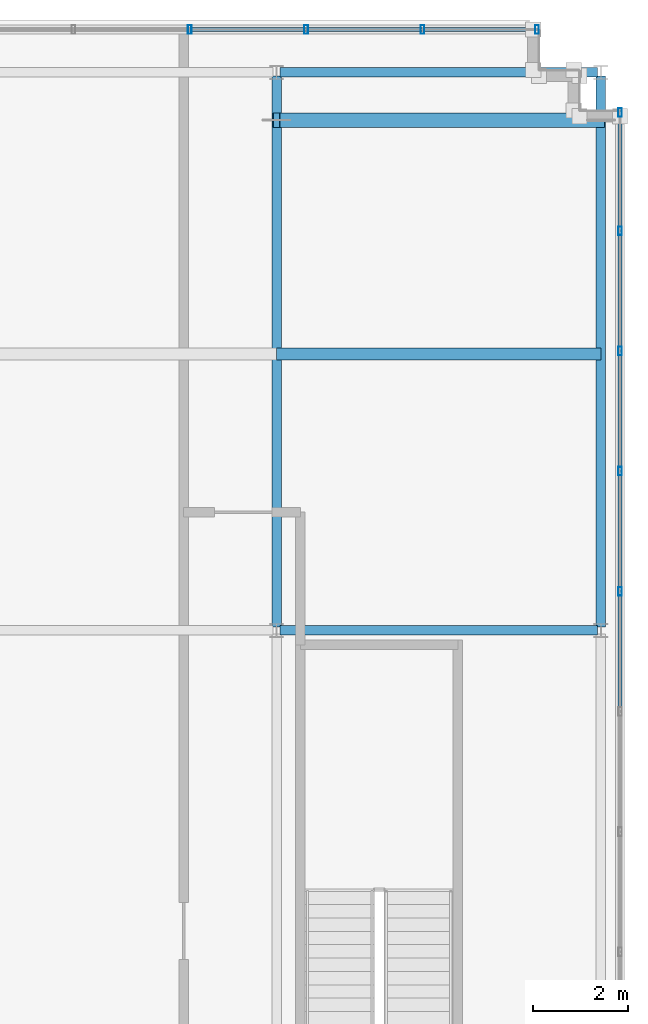
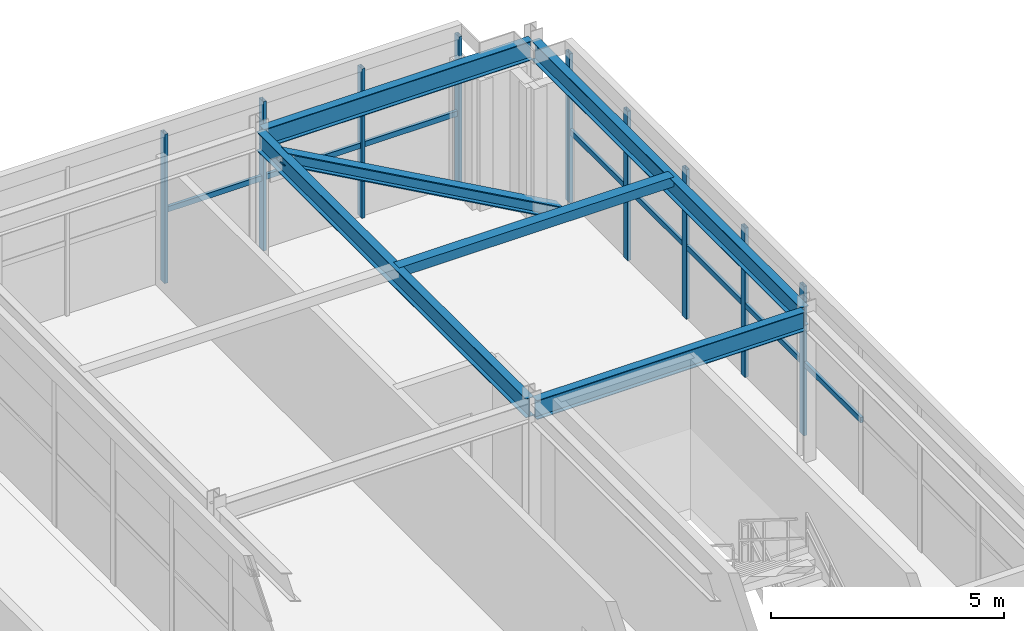
# One storey, part 15 of 25: 19 members, 4 beams, 2 elements without a shape of their own.
"""IFC4 building model written with IfcOpenShell, lengths in metres."""

from ifc_helpers import new_model, si_unit, direction, frame, origin, origin_2d, place, context, subcontext, project, spatial, hollow_rectangle, i_section, extrude, source, transform, mapped, material, material_profile, profile_set, type_object, element, aggregate, save


model = new_model("IFC4")

# Units and contexts
model_context = context("Model", 3, precision=1e-05, world=origin(), true_north=direction((0.0, 1.0)))
body_context = subcontext(model_context, "Body", "Model", "MODEL_VIEW")
ifc_project = project(units=[si_unit("LENGTHUNIT", "METRE"), si_unit("AREAUNIT", "SQUARE_METRE"), si_unit("VOLUMEUNIT", "CUBIC_METRE"), si_unit("PLANEANGLEUNIT", "RADIAN"), si_unit("MASSUNIT", "GRAM", prefix="KILO")], contexts=[model_context])

# Site, building, storey
site_placement = place(None, origin())
site = spatial("IfcSite", under=ifc_project, at=site_placement, CompositionType="ELEMENT")
building_placement = place(site_placement, origin())
building = spatial("IfcBuilding", under=site, at=building_placement, Name="Trelvane Seafront Commons", CompositionType="ELEMENT")
storey_placement = place(building_placement, frame((0.0, 0.0, 316.699951171875)))
storey = spatial("IfcBuildingStorey", under=building, at=storey_placement, Name="L82", CompositionType="ELEMENT", Elevation=316.699951171875)

# Beams
ifc_material_1 = material(Name="Steel SM355 (S355)", Category="steel")
ifc_material_profile_1 = material_profile(ifc_material_1, i_section(OverallWidth=0.199951171875, OverallDepth=0.5, WebThickness=0.010009765625, FlangeThickness=0.01611328125, at=origin_2d()), Name="H-500x200x10x16")
ifc_profile_set_1 = profile_set([ifc_material_profile_1], Name="Steel SM355 (S355)")
beam_type_1 = type_object("IfcBeamType", Name="STR-CROWN-FRAME-RING", PredefinedType="SPANDREL", material=ifc_profile_set_1)
shared_shape_1 = source(origin(), body_context, "Body", "SweptSolid", [
    extrude(i_section(OverallWidth=0.199951171875, OverallDepth=0.5, WebThickness=0.010009765625, FlangeThickness=0.01611328125, at=origin_2d()), origin(), (0.0, 0.0, 1.0), 6.64990234375),
])
for number, where, z_axis, x_axis, name in (
    (1, (58.875, 33.39990234375, 3.66015625), (1.0, 0.0, 0.0), (0.0, 1.0, 0.0), "L82 CROWN FRAME Ring Beam G-08"),
    (2, (58.875, 45.10009765625, 3.66015625), (1.0, 0.0, 0.0), (0.0, 1.0, 0.0), "L82 CROWN FRAME Ring Beam G-12"),
):
    element("IfcBeam", number, at=place(storey_placement, frame(where, z_axis=z_axis, x_axis=x_axis)), inside=storey, type_object=beam_type_1, Name=name, PredefinedType="SPANDREL", context=body_context, shape_type="MappedRepresentation", body=[
        mapped(shared_shape_1, transform((0.0, 0.0, 0.0), x_axis=(1.0, 0.0, 0.0), y_axis=(0.0, 1.0, 0.0), z_axis=(0.0, 0.0, 1.0), scale=1.0)),
    ])
ifc_material_profile_2 = material_profile(ifc_material_1, i_section(OverallWidth=0.199951171875, OverallDepth=0.5, WebThickness=0.010009765625, FlangeThickness=0.01611328125, at=origin_2d()), Name="H-500x200x10x16")
ifc_profile_set_2 = profile_set([ifc_material_profile_2], Name="Steel SM355 (S355)")
beam_type_2 = type_object("IfcBeamType", Name="STR-BM-H500", PredefinedType="BEAM", material=ifc_profile_set_2)
shared_shape_2 = source(origin(), body_context, "Body", "SweptSolid", [
    extrude(i_section(OverallWidth=0.199951171875, OverallDepth=0.5, WebThickness=0.010009765625, FlangeThickness=0.01611328125, at=origin_2d()), origin(), (0.0, 0.0, 1.0), 11.5498046875),
])
for number, where, z_axis, x_axis, name in (
    (3, (58.800048828125, 33.47509765625, 3.66015625), (0.0, 1.0, 0.0), (-1.0, 0.0, 0.0), "L82 Primary Girder G-22"),
    (4, (65.60009765625, 33.47509765625, 3.66015625), (0.0, 1.0, 0.0), (-1.0, 0.0, 0.0), "L82 Primary Girder G-24"),
):
    element("IfcBeam", number, at=place(storey_placement, frame(where, z_axis=z_axis, x_axis=x_axis)), inside=storey, type_object=beam_type_2, Name=name, PredefinedType="BEAM", context=body_context, shape_type="MappedRepresentation", body=[
        mapped(shared_shape_2, transform((0.0, 0.0, 0.0), x_axis=(1.0, 0.0, 0.0), y_axis=(0.0, 1.0, 0.0), z_axis=(0.0, 0.0, 1.0), scale=1.0)),
    ])

# Members
ifc_material_profile_3 = material_profile(ifc_material_1, hollow_rectangle(XDim=0.25, YDim=0.25, WallThickness=0.010009765625, at=origin_2d()), Name="RHS-250x250x10")
ifc_profile_set_3 = profile_set([ifc_material_profile_3], Name="Steel SM355 (S355)")
member_type_1 = type_object("IfcMemberType", Name="STR-PUR-RHS250", PredefinedType="PURLIN", material=ifc_profile_set_3)
shared_shape_3 = source(origin(), body_context, "Body", "SweptSolid", [
    extrude(hollow_rectangle(XDim=0.25, YDim=0.25, WallThickness=0.010009765625, at=origin_2d()), origin(), (0.0, 0.0, 1.0), 6.800048828125),
])
member_1_placement = place(storey_placement, frame((58.800048828125, 39.199951171875, 3.78515625), z_axis=(1.0, 0.0, 0.0), x_axis=(0.0, 1.0, 0.0)))
element("IfcMember", 5, at=member_1_placement, inside=storey, type_object=member_type_1, Name="L82 Crown Roof Purlin PR-1", PredefinedType="PURLIN", context=body_context, shape_type="MappedRepresentation", body=[
    mapped(shared_shape_3, transform((0.0, 0.0, 0.0), x_axis=(1.0, 0.0, 0.0), y_axis=(0.0, 1.0, 0.0), z_axis=(0.0, 0.0, 1.0), scale=1.0)),
])
ifc_material_profile_4 = material_profile(ifc_material_1, i_section(OverallWidth=0.300048828125, OverallDepth=0.300048828125, WebThickness=0.014892578125, FlangeThickness=0.02392578125, at=origin_2d()), Name="HD-300x300x15x24")
ifc_profile_set_4 = profile_set([ifc_material_profile_4], Name="Steel SM355 (S355)")
member_type_2 = type_object("IfcMemberType", Name="STR-CROWN-FRAME-BRC", PredefinedType="BRACE", material=ifc_profile_set_4)
shared_shape_4 = source(origin(), body_context, "Body", "SweptSolid", [
    extrude(i_section(OverallWidth=0.300048828125, OverallDepth=0.300048828125, WebThickness=0.014892578125, FlangeThickness=0.02392578125, at=origin_2d()), origin(), (0.0, 0.0, 1.0), 7.784912109375),
])
member_2_placement = place(storey_placement, frame((65.60009765625, 44.10009765625, 0.0), z_axis=(-0.873489296965, 0.0, 0.486843350666), x_axis=(0.0, -1.0, 0.0)))
element("IfcMember", 6, at=member_2_placement, inside=storey, type_object=member_type_2, Name="L82 CROWN FRAME Diagonal Brace CE", PredefinedType="BRACE", context=body_context, shape_type="MappedRepresentation", body=[
    mapped(shared_shape_4, transform((0.0, 0.0, 0.0), x_axis=(1.0, 0.0, 0.0), y_axis=(0.0, 1.0, 0.0), z_axis=(0.0, 0.0, 1.0), scale=1.0)),
])

# Curtain wall, members
ifc_material_2 = material(Name="Anodised pale-silver aluminium", Category="aluminium")
curtain_wall_type = type_object("IfcCurtainWallType", Name="ARCH-CW6-CROWN", PredefinedType="NOTDEFINED", material=ifc_material_2)
curtain_wall_1_placement = place(storey_placement, origin())
curtain_wall_1 = element("IfcCurtainWall", 7, at=curtain_wall_1_placement, inside=storey, type_object=curtain_wall_type, Name="CW-L82-0157", PredefinedType="NOTDEFINED")
ifc_material_profile_5 = material_profile(ifc_material_2, hollow_rectangle(XDim=0.080078125, YDim=0.179931640625, WallThickness=0.00439453125, at=origin_2d()), Name="MULL-80x180x4.5")
ifc_profile_set_5 = profile_set([ifc_material_profile_5], Name="Anodised pale-silver aluminium")
member_type_3 = type_object("IfcMemberType", Name="ARCH-CW-MULL-180", PredefinedType="MULLION", material=ifc_profile_set_5)
shared_shape_5 = source(origin(), body_context, "Body", "SweptSolid", [
    extrude(hollow_rectangle(XDim=0.080078125, YDim=0.179931640625, WallThickness=0.00439453125, at=origin_2d()), origin(), (0.0, 0.0, 1.0), 3.91015625),
])
member_3_placement = place(storey_placement, frame((56.97998046875, 46.0, 0.0), z_axis=(0.0, 0.0, 1.0), x_axis=(1.0, 0.0, 0.0)))
member_3 = element("IfcMember", 8, at=member_3_placement, type_object=member_type_3, Name="CW-L82-0157-M02", PredefinedType="MULLION", context=body_context, shape_type="MappedRepresentation", body=[
    mapped(shared_shape_5, transform((0.0, 0.0, 0.0), x_axis=(1.0, 0.0, 0.0), y_axis=(0.0, 1.0, 0.0), z_axis=(0.0, 0.0, 1.0), scale=1.0)),
])
member_4_placement = place(storey_placement, frame((59.419921875, 46.0, 0.0), z_axis=(0.0, 0.0, 1.0), x_axis=(1.0, 0.0, 0.0)))
member_4 = element("IfcMember", 9, at=member_4_placement, type_object=member_type_3, Name="CW-L82-0157-M03", PredefinedType="MULLION", context=body_context, shape_type="MappedRepresentation", body=[
    mapped(shared_shape_5, transform((0.0, 0.0, 0.0), x_axis=(1.0, 0.0, 0.0), y_axis=(0.0, 1.0, 0.0), z_axis=(0.0, 0.0, 1.0), scale=1.0)),
])
member_5_placement = place(storey_placement, frame((61.860107421875, 46.0, 0.0), z_axis=(0.0, 0.0, 1.0), x_axis=(1.0, 0.0, 0.0)))
member_5 = element("IfcMember", 10, at=member_5_placement, type_object=member_type_3, Name="CW-L82-0157-M04", PredefinedType="MULLION", context=body_context, shape_type="MappedRepresentation", body=[
    mapped(shared_shape_5, transform((0.0, 0.0, 0.0), x_axis=(1.0, 0.0, 0.0), y_axis=(0.0, 1.0, 0.0), z_axis=(0.0, 0.0, 1.0), scale=1.0)),
])
member_6_placement = place(storey_placement, frame((64.260009765625, 46.0, 0.0), z_axis=(0.0, 0.0, 1.0), x_axis=(1.0, 0.0, 0.0)))
member_6 = element("IfcMember", 11, at=member_6_placement, type_object=member_type_3, Name="CW-L82-0157-M05", PredefinedType="MULLION", context=body_context, shape_type="MappedRepresentation", body=[
    mapped(shared_shape_5, transform((0.0, 0.0, 0.0), x_axis=(1.0, 0.0, 0.0), y_axis=(0.0, 1.0, 0.0), z_axis=(0.0, 0.0, 1.0), scale=1.0)),
])

curtain_wall_2_placement = place(storey_placement, origin())
curtain_wall_2 = element("IfcCurtainWall", 12, at=curtain_wall_2_placement, inside=storey, type_object=curtain_wall_type, Name="CW-L82-0158", PredefinedType="NOTDEFINED")
member_7_placement = place(storey_placement, frame((66.0, 44.260009765625, 0.0), z_axis=(0.0, 0.0, 1.0), x_axis=(1.0, 0.0, 0.0)))
member_7 = element("IfcMember", 13, at=member_7_placement, type_object=member_type_3, Name="CW-L82-0158-M00", PredefinedType="MULLION", context=body_context, shape_type="MappedRepresentation", body=[
    mapped(shared_shape_5, transform((0.0, 0.0, 0.0), x_axis=(1.0, 0.0, 0.0), y_axis=(0.0, 1.0, 0.0), z_axis=(0.0, 0.0, 1.0), scale=1.0)),
])
member_8_placement = place(storey_placement, frame((66.0, 41.780029296875, 0.0), z_axis=(0.0, 0.0, 1.0), x_axis=(1.0, 0.0, 0.0)))
member_8 = element("IfcMember", 14, at=member_8_placement, type_object=member_type_3, Name="CW-L82-0158-M01", PredefinedType="MULLION", context=body_context, shape_type="MappedRepresentation", body=[
    mapped(shared_shape_5, transform((0.0, 0.0, 0.0), x_axis=(1.0, 0.0, 0.0), y_axis=(0.0, 1.0, 0.0), z_axis=(0.0, 0.0, 1.0), scale=1.0)),
])
member_9_placement = place(storey_placement, frame((66.0, 39.260009765625, 0.0), z_axis=(0.0, 0.0, 1.0), x_axis=(1.0, 0.0, 0.0)))
member_9 = element("IfcMember", 15, at=member_9_placement, type_object=member_type_3, Name="CW-L82-0158-M02", PredefinedType="MULLION", context=body_context, shape_type="MappedRepresentation", body=[
    mapped(shared_shape_5, transform((0.0, 0.0, 0.0), x_axis=(1.0, 0.0, 0.0), y_axis=(0.0, 1.0, 0.0), z_axis=(0.0, 0.0, 1.0), scale=1.0)),
])
member_10_placement = place(storey_placement, frame((66.0, 36.739990234375, 0.0), z_axis=(0.0, 0.0, 1.0), x_axis=(1.0, 0.0, 0.0)))
member_10 = element("IfcMember", 16, at=member_10_placement, type_object=member_type_3, Name="CW-L82-0158-M03", PredefinedType="MULLION", context=body_context, shape_type="MappedRepresentation", body=[
    mapped(shared_shape_5, transform((0.0, 0.0, 0.0), x_axis=(1.0, 0.0, 0.0), y_axis=(0.0, 1.0, 0.0), z_axis=(0.0, 0.0, 1.0), scale=1.0)),
])
member_11_placement = place(storey_placement, frame((66.0, 34.219970703125, 0.0), z_axis=(0.0, 0.0, 1.0), x_axis=(1.0, 0.0, 0.0)))
member_11 = element("IfcMember", 17, at=member_11_placement, type_object=member_type_3, Name="CW-L82-0158-M04", PredefinedType="MULLION", context=body_context, shape_type="MappedRepresentation", body=[
    mapped(shared_shape_5, transform((0.0, 0.0, 0.0), x_axis=(1.0, 0.0, 0.0), y_axis=(0.0, 1.0, 0.0), z_axis=(0.0, 0.0, 1.0), scale=1.0)),
])
ifc_material_profile_6 = material_profile(ifc_material_2, hollow_rectangle(XDim=0.074951171875, YDim=0.139892578125, WallThickness=0.00390625, at=origin_2d()), Name="TRAN-75x140x4")
ifc_profile_set_6 = profile_set([ifc_material_profile_6], Name="Anodised pale-silver aluminium")
member_type_4 = type_object("IfcMemberType", Name="ARCH-CW-TRAN-140", PredefinedType="USERDEFINED", material=ifc_profile_set_6)
shared_shape_6 = source(origin(), body_context, "Body", "SweptSolid", [
    extrude(hollow_rectangle(XDim=0.074951171875, YDim=0.139892578125, WallThickness=0.00390625, at=origin_2d()), origin(), (0.0, 0.0, 1.0), 2.49609375),
])
member_12_placement = place(storey_placement, frame((66.0, 44.2880859375, 1.876953125), z_axis=(0.0, -1.0, 0.0), x_axis=(1.0, 0.0, 0.0)))
member_12 = element("IfcMember", 18, at=member_12_placement, type_object=member_type_4, Name="CW-L82-0158-T00", ObjectType="TRANSOM", PredefinedType="USERDEFINED", context=body_context, shape_type="MappedRepresentation", body=[
    mapped(shared_shape_6, transform((0.0, 0.0, 0.0), x_axis=(1.0, 0.0, 0.0), y_axis=(0.0, 1.0, 0.0), z_axis=(0.0, 0.0, 1.0), scale=1.0)),
])
member_13_placement = place(storey_placement, frame((66.0, 41.76806640625, 1.876953125), z_axis=(0.0, -1.0, 0.0), x_axis=(1.0, 0.0, 0.0)))
member_13 = element("IfcMember", 19, at=member_13_placement, type_object=member_type_4, Name="CW-L82-0158-T01", ObjectType="TRANSOM", PredefinedType="USERDEFINED", context=body_context, shape_type="MappedRepresentation", body=[
    mapped(shared_shape_6, transform((0.0, 0.0, 0.0), x_axis=(1.0, 0.0, 0.0), y_axis=(0.0, 1.0, 0.0), z_axis=(0.0, 0.0, 1.0), scale=1.0)),
])
member_14_placement = place(storey_placement, frame((66.0, 39.248046875, 1.876953125), z_axis=(0.0, -1.0, 0.0), x_axis=(1.0, 0.0, 0.0)))
member_14 = element("IfcMember", 20, at=member_14_placement, type_object=member_type_4, Name="CW-L82-0158-T02", ObjectType="TRANSOM", PredefinedType="USERDEFINED", context=body_context, shape_type="MappedRepresentation", body=[
    mapped(shared_shape_6, transform((0.0, 0.0, 0.0), x_axis=(1.0, 0.0, 0.0), y_axis=(0.0, 1.0, 0.0), z_axis=(0.0, 0.0, 1.0), scale=1.0)),
])
member_15_placement = place(storey_placement, frame((66.0, 36.72802734375, 1.876953125), z_axis=(0.0, -1.0, 0.0), x_axis=(1.0, 0.0, 0.0)))
member_15 = element("IfcMember", 21, at=member_15_placement, type_object=member_type_4, Name="CW-L82-0158-T03", ObjectType="TRANSOM", PredefinedType="USERDEFINED", context=body_context, shape_type="MappedRepresentation", body=[
    mapped(shared_shape_6, transform((0.0, 0.0, 0.0), x_axis=(1.0, 0.0, 0.0), y_axis=(0.0, 1.0, 0.0), z_axis=(0.0, 0.0, 1.0), scale=1.0)),
])
member_16_placement = place(storey_placement, frame((66.0, 34.2080078125, 1.876953125), z_axis=(0.0, -1.0, 0.0), x_axis=(1.0, 0.0, 0.0)))
member_16 = element("IfcMember", 22, at=member_16_placement, type_object=member_type_4, Name="CW-L82-0158-T04", ObjectType="TRANSOM", PredefinedType="USERDEFINED", context=body_context, shape_type="MappedRepresentation", body=[
    mapped(shared_shape_6, transform((0.0, 0.0, 0.0), x_axis=(1.0, 0.0, 0.0), y_axis=(0.0, 1.0, 0.0), z_axis=(0.0, 0.0, 1.0), scale=1.0)),
])
aggregate(curtain_wall_2, [member_7, member_8, member_9, member_10, member_11, member_12, member_13, member_14, member_15, member_16])

# Member
shared_shape_7 = source(origin(), body_context, "Body", "SweptSolid", [
    extrude(hollow_rectangle(XDim=0.074951171875, YDim=0.139892578125, WallThickness=0.00390625, at=origin_2d()), origin(), (0.0, 0.0, 1.0), 2.416015625),
])
member_17_placement = place(storey_placement, frame((56.991943359375, 46.0, 1.876953125), z_axis=(1.0, 0.0, 0.0), x_axis=(0.0, 1.0, 0.0)))
member_17 = element("IfcMember", 23, at=member_17_placement, type_object=member_type_4, Name="CW-L82-0157-T02", ObjectType="TRANSOM", PredefinedType="USERDEFINED", context=body_context, shape_type="MappedRepresentation", body=[
    mapped(shared_shape_7, transform((0.0, 0.0, 0.0), x_axis=(1.0, 0.0, 0.0), y_axis=(0.0, 1.0, 0.0), z_axis=(0.0, 0.0, 1.0), scale=1.0)),
])

member_18_placement = place(storey_placement, frame((59.431884765625, 46.0, 1.876953125), z_axis=(1.0, 0.0, 0.0), x_axis=(0.0, 1.0, 0.0)))
member_18 = element("IfcMember", 24, at=member_18_placement, type_object=member_type_4, Name="CW-L82-0157-T03", ObjectType="TRANSOM", PredefinedType="USERDEFINED", context=body_context, shape_type="MappedRepresentation", body=[
    mapped(shared_shape_7, transform((0.0, 0.0, 0.0), x_axis=(1.0, 0.0, 0.0), y_axis=(0.0, 1.0, 0.0), z_axis=(0.0, 0.0, 1.0), scale=1.0)),
])

member_19_placement = place(storey_placement, frame((61.8720703125, 46.0, 1.876953125), z_axis=(1.0, 0.0, 0.0), x_axis=(0.0, 1.0, 0.0)))
member_19 = element("IfcMember", 25, at=member_19_placement, type_object=member_type_4, Name="CW-L82-0157-T04", ObjectType="TRANSOM", PredefinedType="USERDEFINED", context=body_context, shape_type="MappedRepresentation", body=[
    mapped(shared_shape_7, transform((0.0, 0.0, 0.0), x_axis=(1.0, 0.0, 0.0), y_axis=(0.0, 1.0, 0.0), z_axis=(0.0, 0.0, 1.0), scale=1.0)),
])

aggregate(curtain_wall_1, [member_3, member_4, member_5, member_6, member_17, member_18, member_19])

save(model, "model.ifc")
